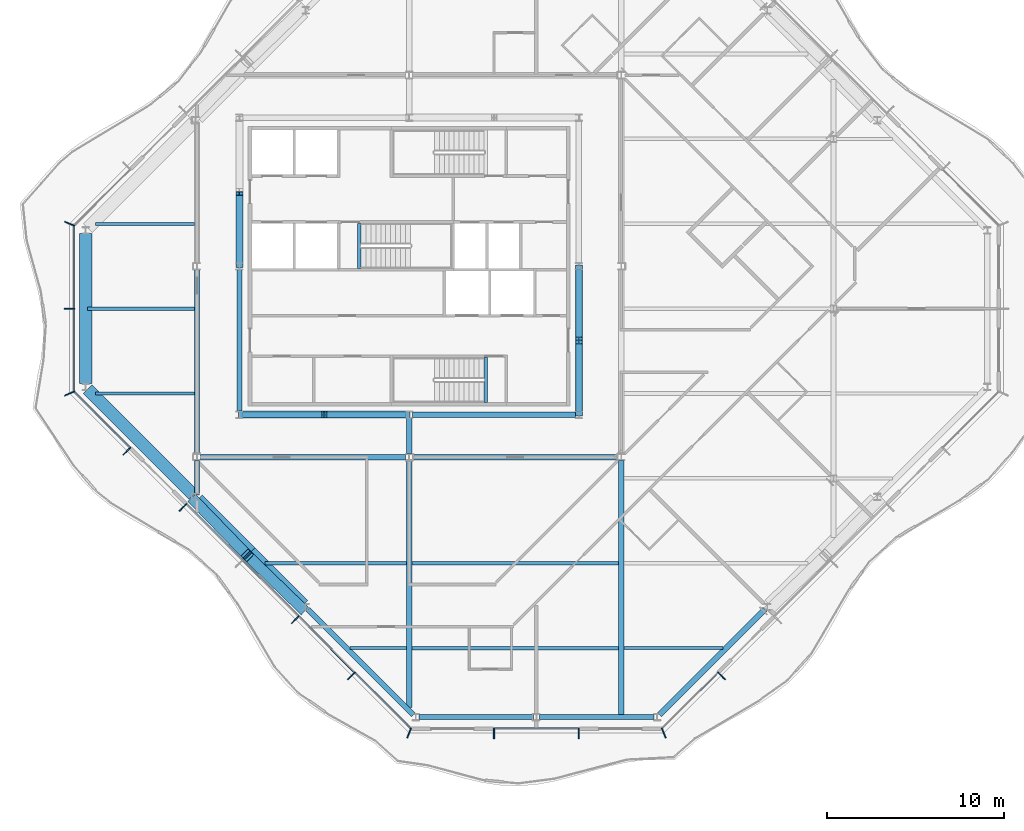
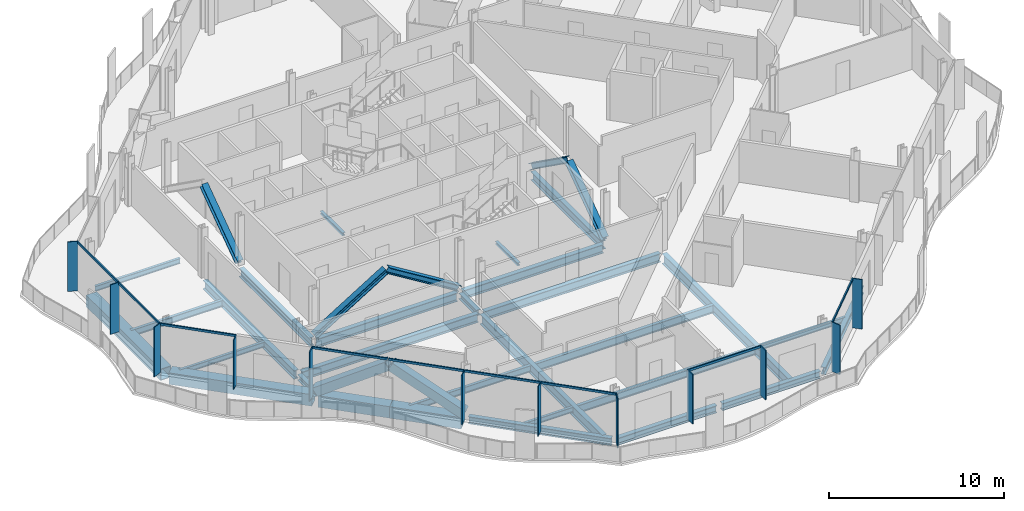
# One storey, part 3 of 16: 29 beams, 28 members, 4 elements without a shape of their own.
"""IFC4 building model written with IfcOpenShell, lengths in metres."""

import ifcopenshell
import ifcopenshell.guid

model = None  # the IFC model being written
_history = None  # IfcOwnerHistory: only IFC2X3 demands one
_inside = {}  # id of a spatial element -> (the spatial element, [elements in it])
_under = {}  # id of a project, library or spatial element -> (it, [spatial elements below it])
_declared = {}  # id of a project -> (the project, [libraries it declares])
_typed = {}  # id of a type object -> (the type object, [elements of that type])
_made_of = {}  # id of a material, layer set ... -> (it, [elements and type objects made of it])


def new_model(schema):
    """Start an empty IFC model of exactly this schema.

    Asked for "IFC4X3", IfcOpenShell would pick the latest addendum, in which some entities
    have other attributes; the version numbers below select the first issue.
    IFC2X3 requires an IfcOwnerHistory on every rooted entity: one is made here for all.
    """
    global model, _history
    if schema == "IFC4X3":
        model = ifcopenshell.file(schema_version=(4, 3, 0, 0))
    else:
        model = ifcopenshell.file(schema=schema)
    _inside.clear()
    _under.clear()
    _declared.clear()
    _typed.clear()
    _made_of.clear()
    _history = None
    if model.schema == "IFC2X3":
        org = make("IfcOrganization", Name="unknown")
        user = make(
            "IfcPersonAndOrganization",
            ThePerson=make("IfcPerson", FamilyName="unknown"),
            TheOrganization=org,
        )
        app = make(
            "IfcApplication",
            ApplicationDeveloper=org,
            Version="unknown",
            ApplicationFullName="unknown",
            ApplicationIdentifier="unknown",
        )
        _history = make(
            "IfcOwnerHistory",
            OwningUser=user,
            OwningApplication=app,
            ChangeAction="ADDED",
            CreationDate=0,
        )
    return model


def make(cls, **values):
    """One entity of the class cls with the attributes given. An attribute that is None is left unset."""
    return model.create_entity(
        cls, **{name: value for name, value in values.items() if value is not None}
    )


def rooted(cls, **values):
    """An entity with a GlobalId (a new one), such as an element, a storey or a relation."""
    return make(cls, GlobalId=ifcopenshell.guid.new(), OwnerHistory=_history, **values)


def si_unit(unit_type, name, prefix=None):
    """IfcSIUnit, for example si_unit("LENGTHUNIT", "METRE", prefix="MILLI")."""
    return make("IfcSIUnit", UnitType=unit_type, Prefix=prefix, Name=name)


def assignment(units):
    """IfcUnitAssignment: the units of a project."""
    return None if units is None else make("IfcUnitAssignment", Units=units)


def point(xyz):
    """IfcCartesianPoint."""
    return None if xyz is None else make("IfcCartesianPoint", Coordinates=xyz)


def direction(xyz):
    """IfcDirection."""
    return None if xyz is None else make("IfcDirection", DirectionRatios=xyz)


def frame(location, z_axis=None, x_axis=None):
    """IfcAxis2Placement3D, a coordinate frame: its origin and axes. An axis left out is left unset."""
    return make(
        "IfcAxis2Placement3D",
        Location=point(location),
        Axis=direction(z_axis),
        RefDirection=direction(x_axis),
    )


def frame_2d(location, x_axis=None):
    """IfcAxis2Placement2D, a coordinate frame in the plane: its origin and x axis."""
    return make(
        "IfcAxis2Placement2D", Location=point(location), RefDirection=direction(x_axis)
    )


def origin():
    """The frame at (0, 0, 0) with its axes left unset."""
    return frame((0.0, 0.0, 0.0))


def origin_2d():
    """The frame at (0, 0) in the plane with its x axis left unset."""
    return frame_2d((0.0, 0.0))


def place(relative_to, where):
    """IfcLocalPlacement: puts the frame where relative to a parent placement (None: the world)."""
    return make(
        "IfcLocalPlacement", PlacementRelTo=relative_to, RelativePlacement=where
    )


def context(
    kind, dimensions, precision=None, world=None, true_north=None, identifier=None
):
    """IfcGeometricRepresentationContext, for example the 3D "Model" context."""
    return make(
        "IfcGeometricRepresentationContext",
        ContextIdentifier=identifier,
        ContextType=kind,
        CoordinateSpaceDimension=dimensions,
        Precision=precision,
        WorldCoordinateSystem=world,
        TrueNorth=true_north,
    )


def subcontext(parent, identifier, kind, view, scale=None):
    """IfcGeometricRepresentationSubContext, for example "Body" below "Model"."""
    return make(
        "IfcGeometricRepresentationSubContext",
        ContextIdentifier=identifier,
        ContextType=kind,
        ParentContext=parent,
        TargetScale=scale,
        TargetView=view,
    )


def project(units=None, contexts=None):
    """IfcProject with its units and contexts."""
    return rooted(
        "IfcProject",
        Name="project",
        RepresentationContexts=contexts,
        UnitsInContext=assignment(units),
    )


def spatial(cls, under=None, at=None, **own):
    """A site, building, storey or space (cls), placed at a placement, below another one or the project."""
    s = rooted(cls, ObjectPlacement=at, **own)
    if under is not None:
        _under.setdefault(under.id(), (under, []))[1].append(s)
    return s


def profile(cls, at=None, kind="AREA", **sizes):
    """A parametric profile (cls). Its sizes go by their IFC names, for example OverallWidth=200.0."""
    return make(cls, ProfileType=kind, Position=at, **sizes)


def rectangle(**sizes):
    """IfcRectangleProfileDef."""
    return profile("IfcRectangleProfileDef", **sizes)


def hollow_rectangle(**sizes):
    """IfcRectangleHollowProfileDef."""
    return profile("IfcRectangleHollowProfileDef", **sizes)


def i_section(**sizes):
    """IfcIShapeProfileDef."""
    return profile("IfcIShapeProfileDef", **sizes)


def extrude(swept, where, along, depth):
    """IfcExtrudedAreaSolid: the profile swept, set in the frame where, extruded along a direction by depth."""
    return make(
        "IfcExtrudedAreaSolid",
        SweptArea=swept,
        Position=where,
        ExtrudedDirection=direction(along),
        Depth=depth,
    )


def shape(context_of_items, identifier, shape_type, items):
    """IfcShapeRepresentation: the items that make up one representation, for example the "Body"."""
    return make(
        "IfcShapeRepresentation",
        ContextOfItems=context_of_items,
        RepresentationIdentifier=identifier,
        RepresentationType=shape_type,
        Items=items,
    )


def material(Name=None, Category=None):
    """IfcMaterial."""
    return make("IfcMaterial", Name=Name, Category=Category)


def material_profile(
    of_material, cross_section, Name=None, Category=None, Priority=None
):
    """IfcMaterialProfile: a cross section and its material."""
    return make(
        "IfcMaterialProfile",
        Name=Name,
        Material=of_material,
        Profile=cross_section,
        Priority=Priority,
        Category=Category,
    )


def profile_set(profiles, Name=None, composite=None):
    """IfcMaterialProfileSet."""
    return make(
        "IfcMaterialProfileSet",
        Name=Name,
        MaterialProfiles=profiles,
        CompositeProfile=composite,
    )


def made_of(thing, what):
    """Note that an element or type object is made of a material, layer set ...; save() writes the relation."""
    if what is not None:
        _made_of.setdefault(what.id(), (what, []))[1].append(thing)
    return thing


def type_object(cls, material=None, **own):
    """A type object (cls), such as IfcWallType, which elements share."""
    return made_of(rooted(cls, **own), material)


def element(
    cls,
    number,
    at=None,
    inside=None,
    cuts=None,
    type_object=None,
    material=None,
    context=None,
    identifier="Body",
    shape_type=None,
    held_by="IfcProductDefinitionShape",
    body=None,
    shapes=None,
    **own,
):
    """One element of the class cls, such as IfcWall. Its Tag is "e" and its number.

    at: its placement. inside: the storey or other place that contains it. cuts: it is an
    opening in that element (IfcRelVoidsElement). A single representation is given by context,
    identifier, shape_type and body (its items); several are given by shapes. held_by: the class
    of the entity that holds the representations. save() writes the other relations.
    """
    e = rooted(cls, Tag="e%d" % number, ObjectPlacement=at, **own)
    if body is not None:
        shapes = [shape(context, identifier, shape_type, body)]
    if shapes is not None:
        e.Representation = make(held_by, Representations=shapes)
    if inside is not None:
        _inside.setdefault(inside.id(), (inside, []))[1].append(e)
    if cuts is not None:
        rooted(
            "IfcRelVoidsElement", RelatingBuildingElement=cuts, RelatedOpeningElement=e
        )
    if type_object is not None:
        _typed.setdefault(type_object.id(), (type_object, []))[1].append(e)
    return made_of(e, material)


def aggregate(whole, parts):
    """IfcRelAggregates: a whole, such as a stair, and the parts it consists of."""
    return rooted("IfcRelAggregates", RelatingObject=whole, RelatedObjects=parts)


def save(model, path):
    """Write the relations noted so far, then the file.

    IfcRelAggregates (storeys below a building ...), IfcRelContainedInSpatialStructure (elements
    in a storey), IfcRelDefinesByType, IfcRelAssociatesMaterial and IfcRelDeclares: one each for
    every whole, place, type object, material and project.
    """
    for whole, parts in _under.values():
        aggregate(whole, parts)
    for where, things in _inside.values():
        rooted(
            "IfcRelContainedInSpatialStructure",
            RelatedElements=things,
            RelatingStructure=where,
        )
    for kind, things in _typed.values():
        rooted("IfcRelDefinesByType", RelatedObjects=things, RelatingType=kind)
    for what, things in _made_of.values():
        rooted("IfcRelAssociatesMaterial", RelatedObjects=things, RelatingMaterial=what)
    for by, libraries in _declared.values():
        rooted("IfcRelDeclares", RelatingContext=by, RelatedDefinitions=libraries)
    model.write(path)


model = new_model("IFC4")

# Units and contexts
model_context = context("Model", 3, precision=1e-05, world=origin(), true_north=direction((0.0, 1.0)))
body_context = subcontext(model_context, "Body", "Model", "MODEL_VIEW")
ifc_project = project(units=[si_unit("LENGTHUNIT", "METRE"), si_unit("AREAUNIT", "SQUARE_METRE"), si_unit("VOLUMEUNIT", "CUBIC_METRE"), si_unit("PLANEANGLEUNIT", "RADIAN"), si_unit("MASSUNIT", "GRAM", prefix="KILO")], contexts=[model_context])

# Site, building, storey
site_placement = place(None, origin())
site = spatial("IfcSite", under=ifc_project, at=site_placement, CompositionType="ELEMENT")
building_placement = place(site_placement, origin())
building = spatial("IfcBuilding", under=site, at=building_placement, Name="Cairn Pilgrim Tower", CompositionType="ELEMENT")
storey_placement = place(building_placement, frame((0.0, 0.0, 277.800048828125)))
storey = spatial("IfcBuildingStorey", under=building, at=storey_placement, Name="L71", CompositionType="ELEMENT", Elevation=277.800048828125)

# Members
ifc_material_1 = material(Name="Structural steel S460M", Category="steel")
ifc_material_profile_1 = material_profile(ifc_material_1, hollow_rectangle(XDim=0.60009765625, YDim=0.60009765625, WallThickness=0.034912109375, at=origin_2d()), Name="BOX 600x600x35")
ifc_profile_set_1 = profile_set([ifc_material_profile_1], Name="Structural steel S460M")
member_type_1 = type_object("IfcMemberType", Name="BOX 600x600x35 BRACE", PredefinedType="BRACE", material=ifc_profile_set_1)
for number, where, z_axis, x_axis, name in (
    (1, (-4.9921875, -10.80908203125, 0.14990234375), (0.592528264357, -0.612497315066, 0.523218209713), (0.718725903967, 0.695293517132, 0.0), "XB-SW2-SW3-1"),
    (2, (1.19091796875, -16.9921875, 0.14990234375), (-0.612497315066, 0.592528264357, 0.523218209713), (-0.695293517132, -0.718725903967, 0.0), "XB-SW2-SW3-2"),
):
    element("IfcMember", number, at=place(storey_placement, frame(where, z_axis=z_axis, x_axis=x_axis)), inside=storey, type_object=member_type_1, Name=name, PredefinedType="BRACE", context=body_context, shape_type="SweptSolid", body=[
        extrude(hollow_rectangle(XDim=0.60009765625, YDim=0.60009765625, WallThickness=0.034912109375, at=origin_2d()), origin(), (0.0, 0.0, 1.0), 5.037109375),
    ])

# Beams
ifc_material_2 = material(Name="Structural steel S355J2", Category="steel")
ifc_material_profile_2 = material_profile(ifc_material_2, hollow_rectangle(XDim=0.699951171875, YDim=0.800048828125, WallThickness=0.0400390625, at=origin_2d()), Name="BOX 700x800x40")
ifc_profile_set_2 = profile_set([ifc_material_profile_2], Name="Structural steel S355J2")
beam_type_1 = type_object("IfcBeamType", Name="BOX 700x800x40 RING GIRDER", PredefinedType="SPANDREL", material=ifc_profile_set_2)
beam_1_placement = place(storey_placement, frame((-11.10009765625, 4.247802734375, -0.550048828125), z_axis=(0.0, -1.0, 0.0), x_axis=(1.0, 0.0, 0.0)))
element("IfcBeam", 3, at=beam_1_placement, inside=storey, type_object=beam_type_1, Name="RG4-W1-SW1", PredefinedType="SPANDREL", context=body_context, shape_type="SweptSolid", body=[
    extrude(hollow_rectangle(XDim=0.699951171875, YDim=0.800048828125, WallThickness=0.0400390625, at=origin_2d()), origin(), (0.0, 0.0, 1.0), 8.49560546875),
])
beam_2_placement = place(storey_placement, frame((-10.972900390625, -4.55419921875, -0.550048828125), z_axis=(0.707106781187, -0.707106781187, 0.0), x_axis=(0.707106781187, 0.707106781187, 0.0)))
element("IfcBeam", 4, at=beam_2_placement, inside=storey, type_object=beam_type_1, Name="RG4-SW1-SW2", PredefinedType="SPANDREL", context=body_context, shape_type="SweptSolid", body=[
    extrude(hollow_rectangle(XDim=0.699951171875, YDim=0.800048828125, WallThickness=0.0400390625, at=origin_2d()), origin(), (0.0, 0.0, 1.0), 8.443115234375),
])
for number, where, z_axis, x_axis, name in (
    (5, (-4.748779296875, -10.7783203125, -0.550048828125), (0.707077865986, -0.707135695205, 0.0), (0.707135695205, 0.707077865986, 0.0), "RG4-SW2-SW3-1"),
    (6, (-1.763671875, -13.763671875, -0.550048828125), (0.707135695205, -0.707077865986, 0.0), (0.707077865986, 0.707135695205, 0.0), "RG4-SW2-SW3-2"),
):
    element("IfcBeam", number, at=place(storey_placement, frame(where, z_axis=z_axis, x_axis=x_axis)), inside=storey, type_object=beam_type_1, Name=name, PredefinedType="SPANDREL", context=body_context, shape_type="SweptSolid", body=[
        extrude(hollow_rectangle(XDim=0.699951171875, YDim=0.800048828125, WallThickness=0.0400390625, at=origin_2d()), origin(), (0.0, 0.0, 1.0), 4.2216796875),
    ])

# Curtain wall, members
ifc_material_3 = material(Name="Aluminium alloy 6063-T6 bronze anodised with Bronze tinted laminated low-E glass 8+16+8.8", Category="aluminium")
curtain_wall_type = type_object("IfcCurtainWallType", Name="CROWN CURTAIN WALL", PredefinedType="NOTDEFINED", material=ifc_material_3)
curtain_wall_1_placement = place(storey_placement, origin())
curtain_wall_1 = element("IfcCurtainWall", 7, at=curtain_wall_1_placement, inside=storey, type_object=curtain_wall_type, Name="Crown Curtain Wall S", PredefinedType="NOTDEFINED")
ifc_material_4 = material(Name="Aluminium alloy 6063-T6 bronze anodised", Category="aluminium")
ifc_material_profile_3 = material_profile(ifc_material_4, rectangle(XDim=0.60009765625, YDim=0.06005859375, at=origin_2d()), Name="FIN MULLION 60x600 BRONZE")
ifc_profile_set_3 = profile_set([ifc_material_profile_3], Name="Aluminium alloy 6063-T6 bronze anodised")
member_type_2 = type_object("IfcMemberType", Name="FIN MULLION 60x600 BRONZE", PredefinedType="MULLION", material=ifc_profile_set_3)
member_1_placement = place(storey_placement, frame((7.2001953125, -23.99951171875, 0.0), z_axis=(0.0, 0.0, 1.0), x_axis=(-0.382683432365, -0.923879532511, 0.0)))
member_1 = element("IfcMember", 8, at=member_1_placement, type_object=member_type_2, Name="Fin mullion S1", PredefinedType="MULLION", context=body_context, shape_type="SweptSolid", body=[
    extrude(rectangle(XDim=0.60009765625, YDim=0.06005859375, at=origin_2d()), origin(), (0.0, 0.0, 1.0), 3.449951171875),
])
member_2_placement = place(storey_placement, frame((12.0, -24.02001953125, 0.0), z_axis=(0.0, 0.0, 1.0), x_axis=(0.0, -1.0, 0.0)))
member_2 = element("IfcMember", 9, at=member_2_placement, type_object=member_type_2, Name="Fin mullion S2", PredefinedType="MULLION", context=body_context, shape_type="SweptSolid", body=[
    extrude(rectangle(XDim=0.60009765625, YDim=0.06005859375, at=origin_2d()), origin(), (0.0, 0.0, 1.0), 3.449951171875),
])
member_3_placement = place(storey_placement, frame((16.800048828125, -24.02001953125, 0.0), z_axis=(0.0, 0.0, 1.0), x_axis=(0.0, -1.0, 0.0)))
member_3 = element("IfcMember", 10, at=member_3_placement, type_object=member_type_2, Name="Fin mullion S3", PredefinedType="MULLION", context=body_context, shape_type="SweptSolid", body=[
    extrude(rectangle(XDim=0.60009765625, YDim=0.06005859375, at=origin_2d()), origin(), (0.0, 0.0, 1.0), 3.449951171875),
])

curtain_wall_2_placement = place(storey_placement, origin())
curtain_wall_2 = element("IfcCurtainWall", 11, at=curtain_wall_2_placement, inside=storey, type_object=curtain_wall_type, Name="Crown Curtain Wall SE", PredefinedType="NOTDEFINED")
member_4_placement = place(storey_placement, frame((21.599853515625, -23.99951171875, 0.0), z_axis=(0.0, 0.0, 1.0), x_axis=(0.382683432365, -0.923879532511, 0.0)))
member_4 = element("IfcMember", 12, at=member_4_placement, type_object=member_type_2, Name="Fin mullion SE1", PredefinedType="MULLION", context=body_context, shape_type="SweptSolid", body=[
    extrude(rectangle(XDim=0.60009765625, YDim=0.06005859375, at=origin_2d()), origin(), (0.0, 0.0, 1.0), 3.449951171875),
])
member_5_placement = place(storey_placement, frame((24.863037109375, -20.765380859375, 0.0), z_axis=(0.0, 0.0, 1.0), x_axis=(0.707106781187, -0.707106781187, 0.0)))
member_5 = element("IfcMember", 13, at=member_5_placement, type_object=member_type_2, Name="Fin mullion SE2", PredefinedType="MULLION", context=body_context, shape_type="SweptSolid", body=[
    extrude(rectangle(XDim=0.60009765625, YDim=0.06005859375, at=origin_2d()), origin(), (0.0, 0.0, 1.0), 3.449951171875),
])

curtain_wall_3_placement = place(storey_placement, origin())
curtain_wall_3 = element("IfcCurtainWall", 14, at=curtain_wall_3_placement, inside=storey, type_object=curtain_wall_type, Name="Crown Curtain Wall W", PredefinedType="NOTDEFINED")
member_6_placement = place(storey_placement, frame((-11.99951171875, 4.7998046875, 0.0), z_axis=(0.0, 0.0, 1.0), x_axis=(-0.923879532511, 0.382683432365, 0.0)))
member_6 = element("IfcMember", 15, at=member_6_placement, type_object=member_type_2, Name="Fin mullion W1", PredefinedType="MULLION", context=body_context, shape_type="SweptSolid", body=[
    extrude(rectangle(XDim=0.60009765625, YDim=0.06005859375, at=origin_2d()), origin(), (0.0, 0.0, 1.0), 3.449951171875),
])
member_7_placement = place(storey_placement, frame((-12.02001953125, 0.0, 0.0), z_axis=(0.0, 0.0, 1.0), x_axis=(-1.0, 0.0, 0.0)))
member_7 = element("IfcMember", 16, at=member_7_placement, type_object=member_type_2, Name="Fin mullion W2", PredefinedType="MULLION", context=body_context, shape_type="SweptSolid", body=[
    extrude(rectangle(XDim=0.60009765625, YDim=0.06005859375, at=origin_2d()), origin(), (0.0, 0.0, 1.0), 3.449951171875),
])

curtain_wall_4_placement = place(storey_placement, origin())
curtain_wall_4 = element("IfcCurtainWall", 17, at=curtain_wall_4_placement, inside=storey, type_object=curtain_wall_type, Name="Crown Curtain Wall SW", PredefinedType="NOTDEFINED")
member_8_placement = place(storey_placement, frame((-11.99951171875, -4.7998046875, 0.0), z_axis=(0.0, 0.0, 1.0), x_axis=(-0.923879532511, -0.382683432365, 0.0)))
member_8 = element("IfcMember", 18, at=member_8_placement, type_object=member_type_2, Name="Fin mullion SW1", PredefinedType="MULLION", context=body_context, shape_type="SweptSolid", body=[
    extrude(rectangle(XDim=0.60009765625, YDim=0.06005859375, at=origin_2d()), origin(), (0.0, 0.0, 1.0), 3.449951171875),
])
member_9_placement = place(storey_placement, frame((-8.765380859375, -8.06298828125, 0.0), z_axis=(0.0, 0.0, 1.0), x_axis=(-0.707106781187, -0.707106781187, 0.0)))
member_9 = element("IfcMember", 19, at=member_9_placement, type_object=member_type_2, Name="Fin mullion SW2", PredefinedType="MULLION", context=body_context, shape_type="SweptSolid", body=[
    extrude(rectangle(XDim=0.60009765625, YDim=0.06005859375, at=origin_2d()), origin(), (0.0, 0.0, 1.0), 3.449951171875),
])
member_10_placement = place(storey_placement, frame((-5.58984375, -11.238525390625, 0.0), z_axis=(0.0, 0.0, 1.0), x_axis=(-0.707106781187, -0.707106781187, 0.0)))
member_10 = element("IfcMember", 20, at=member_10_placement, type_object=member_type_2, Name="Fin mullion SW3", PredefinedType="MULLION", context=body_context, shape_type="SweptSolid", body=[
    extrude(rectangle(XDim=0.60009765625, YDim=0.06005859375, at=origin_2d()), origin(), (0.0, 0.0, 1.0), 3.449951171875),
])
member_11_placement = place(storey_placement, frame((0.761474609375, -17.58984375, 0.0), z_axis=(0.0, 0.0, 1.0), x_axis=(-0.707106781187, -0.707106781187, 0.0)))
member_11 = element("IfcMember", 21, at=member_11_placement, type_object=member_type_2, Name="Fin mullion SW5", PredefinedType="MULLION", context=body_context, shape_type="SweptSolid", body=[
    extrude(rectangle(XDim=0.60009765625, YDim=0.06005859375, at=origin_2d()), origin(), (0.0, 0.0, 1.0), 3.449951171875),
])
member_12_placement = place(storey_placement, frame((3.93701171875, -20.765380859375, 0.0), z_axis=(0.0, 0.0, 1.0), x_axis=(-0.707106781187, -0.707106781187, 0.0)))
member_12 = element("IfcMember", 22, at=member_12_placement, type_object=member_type_2, Name="Fin mullion SW6", PredefinedType="MULLION", context=body_context, shape_type="SweptSolid", body=[
    extrude(rectangle(XDim=0.60009765625, YDim=0.06005859375, at=origin_2d()), origin(), (0.0, 0.0, 1.0), 3.449951171875),
])

# Members
ifc_material_profile_4 = material_profile(ifc_material_2, i_section(OverallWidth=0.39794921875, OverallDepth=0.386962890625, WebThickness=0.02099609375, FlangeThickness=0.033203125, FilletRadius=0.014892578125, at=origin_2d()), Name="HD 400x262")
ifc_profile_set_4 = profile_set([ifc_material_profile_4], Name="Structural steel S355J2")
member_type_3 = type_object("IfcMemberType", Name="HD 400x262 BRACE", PredefinedType="BRACE", material=ifc_profile_set_4)
for number, where, z_axis, x_axis, name in (
    (23, (-2.360107421875, -6.0, 0.099853515625), (0.851197168056, 0.0, 0.524846054661), (0.0, 1.0, 0.0), "KB-1A"),
    (24, (7.16015625, -6.0, 0.099853515625), (-0.851197168056, 0.0, 0.524846054661), (0.0, -1.0, 0.0), "KB-1B"),
):
    element("IfcMember", number, at=place(storey_placement, frame(where, z_axis=z_axis, x_axis=x_axis)), inside=storey, type_object=member_type_3, Name=name, PredefinedType="BRACE", context=body_context, shape_type="SweptSolid", body=[
        extrude(i_section(OverallWidth=0.39794921875, OverallDepth=0.386962890625, WebThickness=0.02099609375, FlangeThickness=0.033203125, FilletRadius=0.014892578125, at=origin_2d()), origin(), (0.0, 0.0, 1.0), 5.52978515625),
    ])
for number, where, z_axis, x_axis, name in (
    (25, (16.800048828125, -5.960205078125, 0.099853515625), (0.0, 0.814462005215, 0.580216892258), (-1.0, 0.0, 0.0), "KB-2A"),
    (26, (16.800048828125, 2.360107421875, 0.099853515625), (0.0, -0.814462005215, 0.580216892258), (1.0, 0.0, 0.0), "KB-2B"),
    (27, (-2.39990234375, 2.439697265625, 0.099853515625), (0.0, 0.814462005215, 0.580216892258), (-1.0, 0.0, 0.0), "KB-4B"),
):
    element("IfcMember", number, at=place(storey_placement, frame(where, z_axis=z_axis, x_axis=x_axis)), inside=storey, type_object=member_type_3, Name=name, PredefinedType="BRACE", context=body_context, shape_type="SweptSolid", body=[
        extrude(i_section(OverallWidth=0.39794921875, OverallDepth=0.386962890625, WebThickness=0.02099609375, FlangeThickness=0.033203125, FilletRadius=0.014892578125, at=origin_2d()), origin(), (0.0, 0.0, 1.0), 4.999755859375),
    ])

# Beams
ifc_material_profile_5 = material_profile(ifc_material_2, i_section(OverallWidth=0.300048828125, OverallDepth=0.39990234375, WebThickness=0.013427734375, FlangeThickness=0.02392578125, FilletRadius=0.027099609375, at=origin_2d()), Name="HEB 400")
ifc_profile_set_5 = profile_set([ifc_material_profile_5], Name="Structural steel S355J2")
beam_type_2 = type_object("IfcBeamType", Name="HEB 400 GIRDER", PredefinedType="BEAM", material=ifc_profile_set_5)
beam_3_placement = place(storey_placement, frame((-4.800048828125, -10.545166015625, -0.35009765625), z_axis=(0.0, 1.0, 0.0), x_axis=(-1.0, 0.0, 0.0)))
element("IfcBeam", 28, at=beam_3_placement, inside=storey, type_object=beam_type_2, Name="PG2-E1", PredefinedType="BEAM", context=body_context, shape_type="SweptSolid", body=[
    extrude(i_section(OverallWidth=0.300048828125, OverallDepth=0.39990234375, WebThickness=0.013427734375, FlangeThickness=0.02392578125, FilletRadius=0.027099609375, at=origin_2d()), origin(), (0.0, 0.0, 1.0), 1.9482421875),
])
beam_4_placement = place(storey_placement, frame((7.199951171875, -8.202880859375, -0.35009765625), z_axis=(0.0, 1.0, 0.0), x_axis=(-1.0, 0.0, 0.0)))
element("IfcBeam", 29, at=beam_4_placement, inside=storey, type_object=beam_type_2, Name="PG3-E1", PredefinedType="BEAM", context=body_context, shape_type="SweptSolid", body=[
    extrude(i_section(OverallWidth=0.300048828125, OverallDepth=0.39990234375, WebThickness=0.013427734375, FlangeThickness=0.02392578125, FilletRadius=0.027099609375, at=origin_2d()), origin(), (0.0, 0.0, 1.0), 2.00390625),
])
ifc_material_profile_6 = material_profile(ifc_material_2, i_section(OverallWidth=0.300048828125, OverallDepth=0.5, WebThickness=0.014404296875, FlangeThickness=0.028076171875, FilletRadius=0.027099609375, at=origin_2d()), Name="HEB 500")
ifc_profile_set_6 = profile_set([ifc_material_profile_6], Name="Structural steel S355J2")
beam_type_3 = type_object("IfcBeamType", Name="HEB 500 RING GIRDER", PredefinedType="SPANDREL", material=ifc_profile_set_6)
beam_5_placement = place(storey_placement, frame((7.752197265625, -23.10009765625, -0.400146484375), z_axis=(1.0, 0.0, 0.0), x_axis=(0.0, 1.0, 0.0)))
element("IfcBeam", 30, at=beam_5_placement, inside=storey, type_object=beam_type_3, Name="RG4-S1-S2", PredefinedType="SPANDREL", context=body_context, shape_type="SweptSolid", body=[
    extrude(i_section(OverallWidth=0.300048828125, OverallDepth=0.5, WebThickness=0.014404296875, FlangeThickness=0.028076171875, FilletRadius=0.027099609375, at=origin_2d()), origin(), (0.0, 0.0, 1.0), 6.46826171875),
])
beam_6_placement = place(storey_placement, frame((14.57958984375, -23.10009765625, -0.400146484375), z_axis=(1.0, 0.0, 0.0), x_axis=(0.0, 1.0, 0.0)))
element("IfcBeam", 31, at=beam_6_placement, inside=storey, type_object=beam_type_3, Name="RG4-S2-SE1", PredefinedType="SPANDREL", context=body_context, shape_type="SweptSolid", body=[
    extrude(i_section(OverallWidth=0.300048828125, OverallDepth=0.5, WebThickness=0.014404296875, FlangeThickness=0.028076171875, FilletRadius=0.027099609375, at=origin_2d()), origin(), (0.0, 0.0, 1.0), 6.468017578125),
])
for number, where, z_axis, x_axis, name in (
    (32, (21.354248046875, -22.972900390625, -0.400146484375), (0.707106781187, 0.707106781187, 0.0), (-0.707106781187, 0.707106781187, 0.0), "RG4-SE1-SE2"),
    (33, (1.4755859375, -17.002685546875, -0.400146484375), (0.707106781187, -0.707106781187, 0.0), (0.707106781187, 0.707106781187, 0.0), "RG4-SW3-S1"),
):
    element("IfcBeam", number, at=place(storey_placement, frame(where, z_axis=z_axis, x_axis=x_axis)), inside=storey, type_object=beam_type_3, Name=name, PredefinedType="SPANDREL", context=body_context, shape_type="SweptSolid", body=[
        extrude(i_section(OverallWidth=0.300048828125, OverallDepth=0.5, WebThickness=0.014404296875, FlangeThickness=0.028076171875, FilletRadius=0.027099609375, at=origin_2d()), origin(), (0.0, 0.0, 1.0), 8.443115234375),
    ])
ifc_material_profile_7 = material_profile(ifc_material_2, i_section(OverallWidth=0.300048828125, OverallDepth=0.60009765625, WebThickness=0.015380859375, FlangeThickness=0.030029296875, FilletRadius=0.027099609375, at=origin_2d()), Name="HEB 600")
ifc_profile_set_7 = profile_set([ifc_material_profile_7], Name="Structural steel S355J2")
beam_type_4 = type_object("IfcBeamType", Name="HEB 600 CORE BEAM", PredefinedType="BEAM", material=ifc_profile_set_7)
beam_7_placement = place(storey_placement, frame((-2.220947265625, -6.0, -0.449951171875), z_axis=(1.0, 0.0, 0.0), x_axis=(0.0, 1.0, 0.0)))
element("IfcBeam", 34, at=beam_7_placement, inside=storey, type_object=beam_type_4, Name="CB-1", PredefinedType="BEAM", context=body_context, shape_type="SweptSolid", body=[
    extrude(i_section(OverallWidth=0.300048828125, OverallDepth=0.60009765625, WebThickness=0.015380859375, FlangeThickness=0.030029296875, FilletRadius=0.027099609375, at=origin_2d()), origin(), (0.0, 0.0, 1.0), 9.241943359375),
])
beam_8_placement = place(storey_placement, frame((7.379150390625, -6.0, -0.449951171875), z_axis=(1.0, 0.0, 0.0), x_axis=(0.0, 1.0, 0.0)))
element("IfcBeam", 35, at=beam_8_placement, inside=storey, type_object=beam_type_4, Name="CB-2", PredefinedType="BEAM", context=body_context, shape_type="SweptSolid", body=[
    extrude(i_section(OverallWidth=0.300048828125, OverallDepth=0.60009765625, WebThickness=0.015380859375, FlangeThickness=0.030029296875, FilletRadius=0.027099609375, at=origin_2d()), origin(), (0.0, 0.0, 1.0), 9.24169921875),
])
for number, where, z_axis, x_axis, name in (
    (36, (16.800048828125, -5.82080078125, -0.449951171875), (0.0, 1.0, 0.0), (-1.0, 0.0, 0.0), "CB-3"),
    (37, (-2.39990234375, 2.220947265625, -0.449951171875), (0.0, -1.0, 0.0), (1.0, 0.0, 0.0), "CB-8"),
):
    element("IfcBeam", number, at=place(storey_placement, frame(where, z_axis=z_axis, x_axis=x_axis)), inside=storey, type_object=beam_type_4, Name=name, PredefinedType="BEAM", context=body_context, shape_type="SweptSolid", body=[
        extrude(i_section(OverallWidth=0.300048828125, OverallDepth=0.60009765625, WebThickness=0.015380859375, FlangeThickness=0.030029296875, FilletRadius=0.027099609375, at=origin_2d()), origin(), (0.0, 0.0, 1.0), 8.041748046875),
    ])
ifc_material_profile_8 = material_profile(ifc_material_2, i_section(OverallWidth=0.300048828125, OverallDepth=0.60009765625, WebThickness=0.015380859375, FlangeThickness=0.030029296875, FilletRadius=0.027099609375, at=origin_2d()), Name="HEB 600")
ifc_profile_set_8 = profile_set([ifc_material_profile_8], Name="Structural steel S355J2")
beam_type_5 = type_object("IfcBeamType", Name="HEB 600 GIRDER", PredefinedType="BEAM", material=ifc_profile_set_8)
beam_9_placement = place(storey_placement, frame((-4.800048828125, -8.202880859375, -0.449951171875), z_axis=(0.0, 1.0, 0.0), x_axis=(-1.0, 0.0, 0.0)))
element("IfcBeam", 38, at=beam_9_placement, inside=storey, type_object=beam_type_5, Name="PG2-1", PredefinedType="BEAM", context=body_context, shape_type="SweptSolid", body=[
    extrude(i_section(OverallWidth=0.300048828125, OverallDepth=0.60009765625, WebThickness=0.015380859375, FlangeThickness=0.030029296875, FilletRadius=0.027099609375, at=origin_2d()), origin(), (0.0, 0.0, 1.0), 10.40576171875),
])
ifc_material_profile_9 = material_profile(ifc_material_2, i_section(OverallWidth=0.300048828125, OverallDepth=0.60009765625, WebThickness=0.015380859375, FlangeThickness=0.030029296875, FilletRadius=0.027099609375, at=origin_2d()), Name="HEB 600")
ifc_profile_set_9 = profile_set([ifc_material_profile_9], Name="Structural steel S355J2")
beam_type_6 = type_object("IfcBeamType", Name="HEB 600 INNER GIRDER", PredefinedType="BEAM", material=ifc_profile_set_9)
for number, where, z_axis, x_axis, name in (
    (39, (-4.60302734375, -8.39990234375, -0.449951171875), (1.0, 0.0, 0.0), (0.0, 1.0, 0.0), "IG1-1"),
    (40, (7.39697265625, -8.39990234375, -0.449951171875), (1.0, 0.0, 0.0), (0.0, 1.0, 0.0), "IG1-2"),
):
    element("IfcBeam", number, at=place(storey_placement, frame(where, z_axis=z_axis, x_axis=x_axis)), inside=storey, type_object=beam_type_6, Name=name, PredefinedType="BEAM", context=body_context, shape_type="SweptSolid", body=[
        extrude(i_section(OverallWidth=0.300048828125, OverallDepth=0.60009765625, WebThickness=0.015380859375, FlangeThickness=0.030029296875, FilletRadius=0.027099609375, at=origin_2d()), origin(), (0.0, 0.0, 1.0), 11.60595703125),
    ])
ifc_material_profile_10 = material_profile(ifc_material_2, i_section(OverallWidth=0.300048828125, OverallDepth=0.699951171875, WebThickness=0.01708984375, FlangeThickness=0.031982421875, FilletRadius=0.027099609375, at=origin_2d()), Name="HEB 700")
ifc_profile_set_10 = profile_set([ifc_material_profile_10], Name="Structural steel S355J2")
beam_type_7 = type_object("IfcBeamType", Name="HEB 700 GIRDER", PredefinedType="BEAM", material=ifc_profile_set_10)
beam_10_placement = place(storey_placement, frame((7.199951171875, -22.545166015625, -0.5), z_axis=(0.0, 1.0, 0.0), x_axis=(-1.0, 0.0, 0.0)))
element("IfcBeam", 41, at=beam_10_placement, inside=storey, type_object=beam_type_7, Name="PG3-1", PredefinedType="BEAM", context=body_context, shape_type="SweptSolid", body=[
    extrude(i_section(OverallWidth=0.300048828125, OverallDepth=0.699951171875, WebThickness=0.01708984375, FlangeThickness=0.031982421875, FilletRadius=0.027099609375, at=origin_2d()), origin(), (0.0, 0.0, 1.0), 13.9482421875),
])
beam_11_placement = place(storey_placement, frame((19.199951171875, -22.97998046875, -0.5), z_axis=(0.0, 1.0, 0.0), x_axis=(-1.0, 0.0, 0.0)))
element("IfcBeam", 42, at=beam_11_placement, inside=storey, type_object=beam_type_7, Name="PG4-1", PredefinedType="BEAM", context=body_context, shape_type="SweptSolid", body=[
    extrude(i_section(OverallWidth=0.300048828125, OverallDepth=0.699951171875, WebThickness=0.01708984375, FlangeThickness=0.031982421875, FilletRadius=0.027099609375, at=origin_2d()), origin(), (0.0, 0.0, 1.0), 14.383056640625),
])
ifc_material_profile_11 = material_profile(ifc_material_2, i_section(OverallWidth=0.169921875, OverallDepth=0.360107421875, WebThickness=0.008056640625, FlangeThickness=0.0126953125, FilletRadius=0.01806640625, at=origin_2d()), Name="IPE 360")
ifc_profile_set_11 = profile_set([ifc_material_profile_11], Name="Structural steel S355J2")
beam_type_8 = type_object("IfcBeamType", Name="IPE 360 SECONDARY BEAM", PredefinedType="JOIST", material=ifc_profile_set_11)
beam_12_placement = place(storey_placement, frame((3.85498046875, -19.199951171875, -0.330078125), z_axis=(1.0, 0.0, 0.0), x_axis=(0.0, 1.0, 0.0)))
element("IfcBeam", 43, at=beam_12_placement, inside=storey, type_object=beam_type_8, Name="SB1-1", PredefinedType="JOIST", context=body_context, shape_type="SweptSolid", body=[
    extrude(i_section(OverallWidth=0.169921875, OverallDepth=0.360107421875, WebThickness=0.008056640625, FlangeThickness=0.0126953125, FilletRadius=0.01806640625, at=origin_2d()), origin(), (0.0, 0.0, 1.0), 3.195068359375),
])
beam_13_placement = place(storey_placement, frame((19.35009765625, -19.199951171875, -0.330078125), z_axis=(1.0, 0.0, 0.0), x_axis=(0.0, 1.0, 0.0)))
element("IfcBeam", 44, at=beam_13_placement, inside=storey, type_object=beam_type_8, Name="SB1-3", PredefinedType="JOIST", context=body_context, shape_type="SweptSolid", body=[
    extrude(i_section(OverallWidth=0.169921875, OverallDepth=0.360107421875, WebThickness=0.008056640625, FlangeThickness=0.0126953125, FilletRadius=0.01806640625, at=origin_2d()), origin(), (0.0, 0.0, 1.0), 5.594970703125),
])
for number, where, z_axis, x_axis, name in (
    (45, (-10.545166015625, -4.800048828125, -0.330078125), (1.0, 0.0, 0.0), (0.0, 1.0, 0.0), "SB4-1"),
    (46, (-10.545166015625, 4.800048828125, -0.330078125), (1.0, 0.0, 0.0), (0.0, 1.0, 0.0), "SB6-1"),
):
    element("IfcBeam", number, at=place(storey_placement, frame(where, z_axis=z_axis, x_axis=x_axis)), inside=storey, type_object=beam_type_8, Name=name, PredefinedType="JOIST", context=body_context, shape_type="SweptSolid", body=[
        extrude(i_section(OverallWidth=0.169921875, OverallDepth=0.360107421875, WebThickness=0.008056640625, FlangeThickness=0.0126953125, FilletRadius=0.01806640625, at=origin_2d()), origin(), (0.0, 0.0, 1.0), 5.59521484375),
    ])
ifc_material_profile_12 = material_profile(ifc_material_2, i_section(OverallWidth=0.18994140625, OverallDepth=0.449951171875, WebThickness=0.009521484375, FlangeThickness=0.0146484375, FilletRadius=0.02099609375, at=origin_2d()), Name="IPE 450")
ifc_profile_set_12 = profile_set([ifc_material_profile_12], Name="Structural steel S355J2")
beam_type_9 = type_object("IfcBeamType", Name="IPE 450 SECONDARY BEAM", PredefinedType="JOIST", material=ifc_profile_set_12)
beam_14_placement = place(storey_placement, frame((-0.945068359375, -14.39990234375, -0.375), z_axis=(1.0, 0.0, 0.0), x_axis=(0.0, 1.0, 0.0)))
element("IfcBeam", 47, at=beam_14_placement, inside=storey, type_object=beam_type_9, Name="SB2-1", PredefinedType="JOIST", context=body_context, shape_type="SweptSolid", body=[
    extrude(i_section(OverallWidth=0.18994140625, OverallDepth=0.449951171875, WebThickness=0.009521484375, FlangeThickness=0.0146484375, FilletRadius=0.02099609375, at=origin_2d()), origin(), (0.0, 0.0, 1.0), 7.9951171875),
])
beam_15_placement = place(storey_placement, frame((-10.97998046875, 0.0, -0.375), z_axis=(1.0, 0.0, 0.0), x_axis=(0.0, 1.0, 0.0)))
element("IfcBeam", 48, at=beam_15_placement, inside=storey, type_object=beam_type_9, Name="SB5-1", PredefinedType="JOIST", context=body_context, shape_type="SweptSolid", body=[
    extrude(i_section(OverallWidth=0.18994140625, OverallDepth=0.449951171875, WebThickness=0.009521484375, FlangeThickness=0.0146484375, FilletRadius=0.02099609375, at=origin_2d()), origin(), (0.0, 0.0, 1.0), 6.030029296875),
])
ifc_material_profile_13 = material_profile(ifc_material_2, i_section(OverallWidth=0.2099609375, OverallDepth=0.550048828125, WebThickness=0.010986328125, FlangeThickness=0.01708984375, FilletRadius=0.02392578125, at=origin_2d()), Name="IPE 550")
ifc_profile_set_13 = profile_set([ifc_material_profile_13], Name="Structural steel S355J2")
beam_type_10 = type_object("IfcBeamType", Name="IPE 550 SECONDARY BEAM", PredefinedType="JOIST", material=ifc_profile_set_13)
for number, where, z_axis, x_axis, name in (
    (49, (7.35009765625, -19.199951171875, -0.425048828125), (1.0, 0.0, 0.0), (0.0, 1.0, 0.0), "SB1-2"),
    (50, (7.35009765625, -14.39990234375, -0.425048828125), (1.0, 0.0, 0.0), (0.0, 1.0, 0.0), "SB2-2"),
):
    element("IfcBeam", number, at=place(storey_placement, frame(where, z_axis=z_axis, x_axis=x_axis)), inside=storey, type_object=beam_type_10, Name=name, PredefinedType="JOIST", context=body_context, shape_type="SweptSolid", body=[
        extrude(i_section(OverallWidth=0.2099609375, OverallDepth=0.550048828125, WebThickness=0.010986328125, FlangeThickness=0.01708984375, FilletRadius=0.02392578125, at=origin_2d()), origin(), (0.0, 0.0, 1.0), 11.699951171875),
    ])
ifc_material_profile_14 = material_profile(ifc_material_2, i_section(OverallWidth=0.199951171875, OverallDepth=0.199951171875, WebThickness=0.009033203125, FlangeThickness=0.014892578125, FilletRadius=0.01806640625, at=origin_2d()), Name="HE 200 B")
ifc_profile_set_14 = profile_set([ifc_material_profile_14], Name="Structural steel S355J2")
beam_type_11 = type_object("IfcBeamType", Name="STAIR LANDING BEAM HE 200 B", PredefinedType="BEAM", material=ifc_profile_set_14)
beam_16_placement = place(storey_placement, frame((11.5244140625, -2.77490234375, -0.25), z_axis=(0.0, -1.0, 0.0), x_axis=(1.0, 0.0, 0.0)))
element("IfcBeam", 51, at=beam_16_placement, inside=storey, type_object=beam_type_11, Name="STAIR LANDING BEAM LD-HE200B", PredefinedType="BEAM", context=body_context, shape_type="SweptSolid", body=[
    extrude(i_section(OverallWidth=0.199951171875, OverallDepth=0.199951171875, WebThickness=0.009033203125, FlangeThickness=0.014892578125, FilletRadius=0.01806640625, at=origin_2d()), origin(), (0.0, 0.0, 1.0), 2.525146484375),
])
beam_17_placement = place(storey_placement, frame((4.37548828125, 2.27490234375, -0.25), z_axis=(0.0, 1.0, 0.0), x_axis=(-1.0, 0.0, 0.0)))
element("IfcBeam", 52, at=beam_17_placement, inside=storey, type_object=beam_type_11, Name="STAIR LANDING BEAM LD-HE200B", PredefinedType="BEAM", context=body_context, shape_type="SweptSolid", body=[
    extrude(i_section(OverallWidth=0.199951171875, OverallDepth=0.199951171875, WebThickness=0.009033203125, FlangeThickness=0.014892578125, FilletRadius=0.01806640625, at=origin_2d()), origin(), (0.0, 0.0, 1.0), 2.550048828125),
])

# Member
ifc_material_profile_15 = material_profile(ifc_material_4, rectangle(XDim=0.080078125, YDim=0.14990234375, at=origin_2d()), Name="TRANSOM 80x150 BRONZE")
ifc_profile_set_15 = profile_set([ifc_material_profile_15], Name="Aluminium alloy 6063-T6 bronze anodised")
member_type_4 = type_object("IfcMemberType", Name="TRANSOM 80x150 BRONZE", PredefinedType="USERDEFINED", material=ifc_profile_set_15)
member_13_placement = place(storey_placement, frame((12.030029296875, -23.75, 3.375), z_axis=(1.0, 0.0, 0.0), x_axis=(0.0, 1.0, 0.0)))
member_13 = element("IfcMember", 53, at=member_13_placement, type_object=member_type_4, Name="Transom S2", ObjectType="TRANSOM", PredefinedType="USERDEFINED", context=body_context, shape_type="SweptSolid", body=[
    extrude(rectangle(XDim=0.080078125, YDim=0.14990234375, at=origin_2d()), origin(), (0.0, 0.0, 1.0), 4.739990234375),
])

aggregate(curtain_wall_1, [member_1, member_2, member_3, member_13])

member_14_placement = place(storey_placement, frame((21.524658203125, -23.7216796875, 3.375), z_axis=(0.707134392299, 0.707079168996, 0.0), x_axis=(-0.707079168996, 0.707134392299, 0.0)))
member_14 = element("IfcMember", 54, at=member_14_placement, type_object=member_type_4, Name="Transom SE1", ObjectType="TRANSOM", PredefinedType="USERDEFINED", context=body_context, shape_type="SweptSolid", body=[
    extrude(rectangle(XDim=0.080078125, YDim=0.14990234375, at=origin_2d()), origin(), (0.0, 0.0, 1.0), 4.4208984375),
])

aggregate(curtain_wall_2, [member_4, member_5, member_14])

member_15_placement = place(storey_placement, frame((-11.75, 4.656494140625, 3.375), z_axis=(0.0, -1.0, 0.0), x_axis=(1.0, 0.0, 0.0)))
member_15 = element("IfcMember", 55, at=member_15_placement, type_object=member_type_4, Name="Transom W1", ObjectType="TRANSOM", PredefinedType="USERDEFINED", context=body_context, shape_type="SweptSolid", body=[
    extrude(rectangle(XDim=0.080078125, YDim=0.14990234375, at=origin_2d()), origin(), (0.0, 0.0, 1.0), 4.62646484375),
])

member_16_placement = place(storey_placement, frame((-11.75, -0.030029296875, 3.375), z_axis=(0.0, -1.0, 0.0), x_axis=(1.0, 0.0, 0.0)))
member_16 = element("IfcMember", 56, at=member_16_placement, type_object=member_type_4, Name="Transom W2", ObjectType="TRANSOM", PredefinedType="USERDEFINED", context=body_context, shape_type="SweptSolid", body=[
    extrude(rectangle(XDim=0.080078125, YDim=0.14990234375, at=origin_2d()), origin(), (0.0, 0.0, 1.0), 4.62646484375),
])

aggregate(curtain_wall_3, [member_6, member_7, member_15, member_16])

member_17_placement = place(storey_placement, frame((-11.7216796875, -4.724609375, 3.375), z_axis=(0.707079168996, -0.707134392299, 0.0), x_axis=(0.707134392299, 0.707079168996, 0.0)))
member_17 = element("IfcMember", 57, at=member_17_placement, type_object=member_type_4, Name="Transom SW1", ObjectType="TRANSOM", PredefinedType="USERDEFINED", context=body_context, shape_type="SweptSolid", body=[
    extrude(rectangle(XDim=0.080078125, YDim=0.14990234375, at=origin_2d()), origin(), (0.0, 0.0, 1.0), 4.4208984375),
])

member_18_placement = place(storey_placement, frame((-5.377685546875, -11.06884765625, 3.375), z_axis=(0.707134329907, -0.707079231393, 0.0), x_axis=(0.707079231393, 0.707134329907, 0.0)))
member_18 = element("IfcMember", 58, at=member_18_placement, type_object=member_type_4, Name="Transom SW3", ObjectType="TRANSOM", PredefinedType="USERDEFINED", context=body_context, shape_type="SweptSolid", body=[
    extrude(rectangle(XDim=0.080078125, YDim=0.14990234375, at=origin_2d()), origin(), (0.0, 0.0, 1.0), 4.430908203125),
])

member_19_placement = place(storey_placement, frame((-2.201904296875, -14.244384765625, 3.375), z_axis=(0.707079231393, -0.707134329907, 0.0), x_axis=(0.707134329907, 0.707079231393, 0.0)))
member_19 = element("IfcMember", 59, at=member_19_placement, type_object=member_type_4, Name="Transom SW4", ObjectType="TRANSOM", PredefinedType="USERDEFINED", context=body_context, shape_type="SweptSolid", body=[
    extrude(rectangle(XDim=0.080078125, YDim=0.14990234375, at=origin_2d()), origin(), (0.0, 0.0, 1.0), 4.430908203125),
])

member_20_placement = place(storey_placement, frame((0.9736328125, -17.419921875, 3.375), z_axis=(0.707079231393, -0.707134329907, 0.0), x_axis=(0.707134329907, 0.707079231393, 0.0)))
member_20 = element("IfcMember", 60, at=member_20_placement, type_object=member_type_4, Name="Transom SW5", ObjectType="TRANSOM", PredefinedType="USERDEFINED", context=body_context, shape_type="SweptSolid", body=[
    extrude(rectangle(XDim=0.080078125, YDim=0.14990234375, at=origin_2d()), origin(), (0.0, 0.0, 1.0), 4.430908203125),
])

member_21_placement = place(storey_placement, frame((4.149169921875, -20.595703125, 3.375), z_axis=(0.707134392299, -0.707079168996, 0.0), x_axis=(0.707079168996, 0.707134392299, 0.0)))
member_21 = element("IfcMember", 61, at=member_21_placement, type_object=member_type_4, Name="Transom SW6", ObjectType="TRANSOM", PredefinedType="USERDEFINED", context=body_context, shape_type="SweptSolid", body=[
    extrude(rectangle(XDim=0.080078125, YDim=0.14990234375, at=origin_2d()), origin(), (0.0, 0.0, 1.0), 4.4208984375),
])

aggregate(curtain_wall_4, [member_8, member_9, member_10, member_11, member_12, member_17, member_18, member_19, member_20, member_21])

save(model, "model.ifc")
